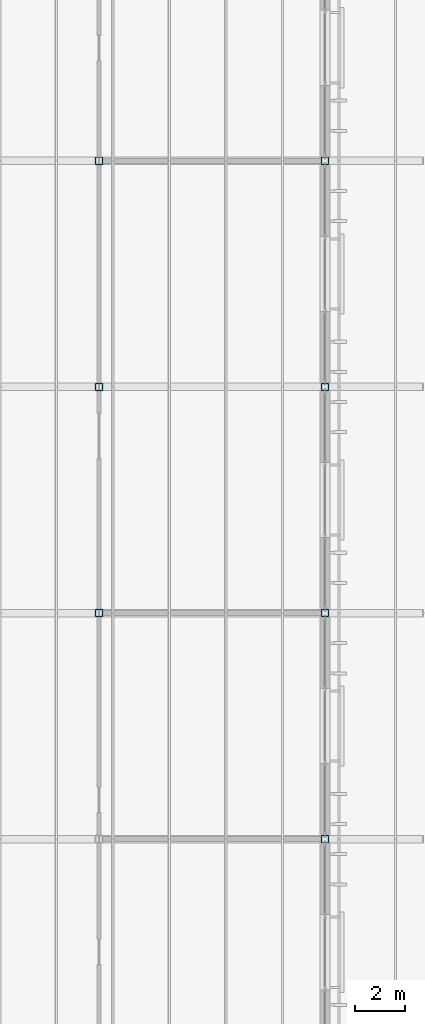
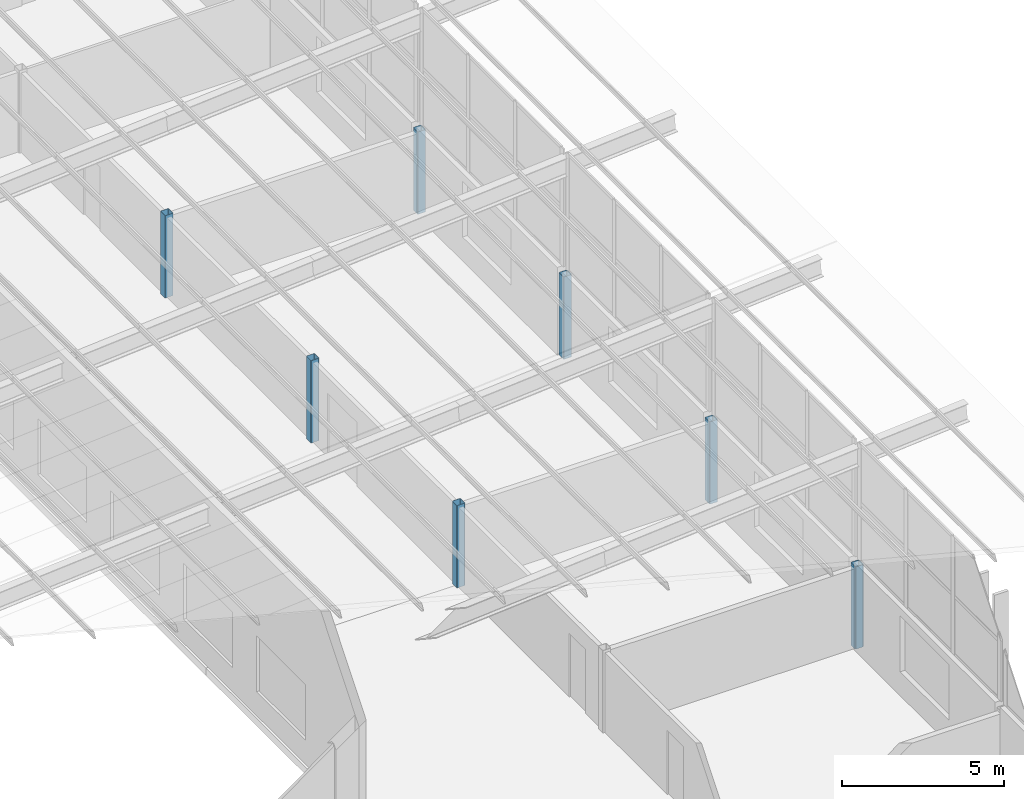
# One storey, part 14 of 85: 7 columns.
"""IFC4 building model written with IfcOpenShell, lengths in metres."""

from ifc_helpers import new_model, si_unit, direction, frame, origin, origin_2d, place, context, subcontext, project, spatial, hollow_rectangle, extrude, material, material_profile, profile_set, type_object, element, save


model = new_model("IFC4")

# Units and contexts
model_context = context("Model", 3, precision=1e-05, world=origin(), true_north=direction((0.0, 1.0)))
body_context = subcontext(model_context, "Body", "Model", "MODEL_VIEW")
ifc_project = project(units=[si_unit("LENGTHUNIT", "METRE"), si_unit("AREAUNIT", "SQUARE_METRE"), si_unit("VOLUMEUNIT", "CUBIC_METRE"), si_unit("PLANEANGLEUNIT", "RADIAN"), si_unit("MASSUNIT", "GRAM", prefix="KILO")], contexts=[model_context])

# Site, building, storey
site_placement = place(None, origin())
site = spatial("IfcSite", under=ifc_project, at=site_placement, CompositionType="ELEMENT")
building_placement = place(site_placement, origin())
building = spatial("IfcBuilding", under=site, at=building_placement, Name="Opaline Strait Convention Centre", CompositionType="ELEMENT")
storey_placement = place(building_placement, frame((0.0, 0.0, 17.0)))
storey = spatial("IfcBuildingStorey", under=building, at=storey_placement, Name="L03", CompositionType="ELEMENT", Elevation=17.0)

# Columns
ifc_material = material(Name="Steel Q355B", Category="steel")
ifc_material_profile = material_profile(ifc_material, hollow_rectangle(XDim=0.300048828125, YDim=0.300048828125, WallThickness=0.011962890625, InnerFilletRadius=0.02392578125, OuterFilletRadius=0.035888671875, at=origin_2d()), Name="RHS 300x300x12")
ifc_profile_set = profile_set([ifc_material_profile], Name="Steel Q355B")
column_type = type_object("IfcColumnType", Name="Roof post RHS 300x300x12", PredefinedType="COLUMN", material=ifc_profile_set)
for number, where, z_axis, x_axis, name in (
    (1, (351.0, 135.0, 0.0), (0.0, 0.0, 1.0), (1.0, 0.0, 0.0), "MRS1 roof post at 40/R"),
    (2, (351.0, 144.0, 0.0), (0.0, 0.0, 1.0), (1.0, 0.0, 0.0), "MRS1 roof post at 40/S"),
    (3, (351.0, 153.0, 0.0), (0.0, 0.0, 1.0), (1.0, 0.0, 0.0), "MRS1 roof post at 40/T"),
    (4, (360.0, 126.0, 0.0), (0.0, 0.0, 1.0), (1.0, 0.0, 0.0), "MRS1 roof post at 41/Q"),
    (5, (360.0, 135.0, 0.0), (0.0, 0.0, 1.0), (1.0, 0.0, 0.0), "MRS1 roof post at 41/R"),
    (6, (360.0, 144.0, 0.0), (0.0, 0.0, 1.0), (1.0, 0.0, 0.0), "MRS1 roof post at 41/S"),
    (7, (360.0, 153.0, 0.0), (0.0, 0.0, 1.0), (1.0, 0.0, 0.0), "MRS1 roof post at 41/T"),
):
    element("IfcColumn", number, at=place(storey_placement, frame(where, z_axis=z_axis, x_axis=x_axis)), inside=storey, type_object=column_type, Name=name, PredefinedType="COLUMN", context=body_context, shape_type="SweptSolid", body=[
        extrude(hollow_rectangle(XDim=0.300048828125, YDim=0.300048828125, WallThickness=0.011962890625, InnerFilletRadius=0.02392578125, OuterFilletRadius=0.035888671875, at=origin_2d()), origin(), (0.0, 0.0, 1.0), 3.10009765625),
    ])

save(model, "model.ifc")
